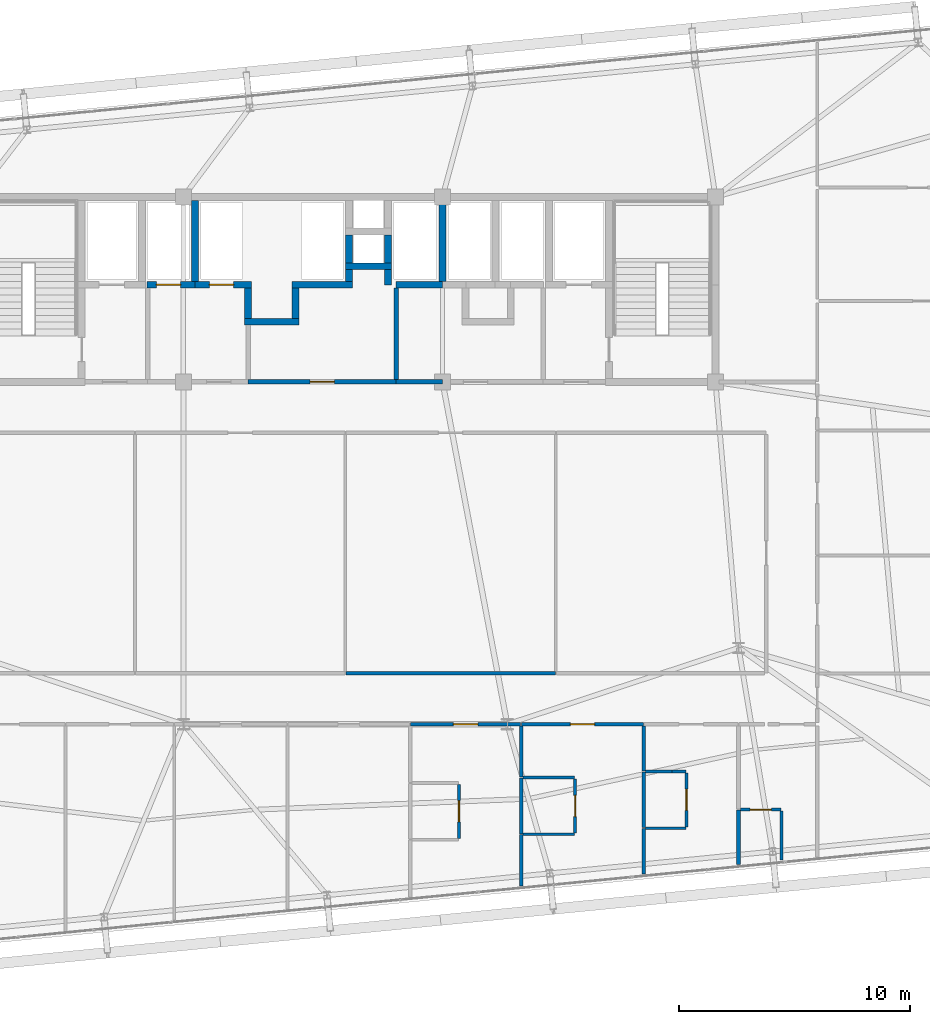
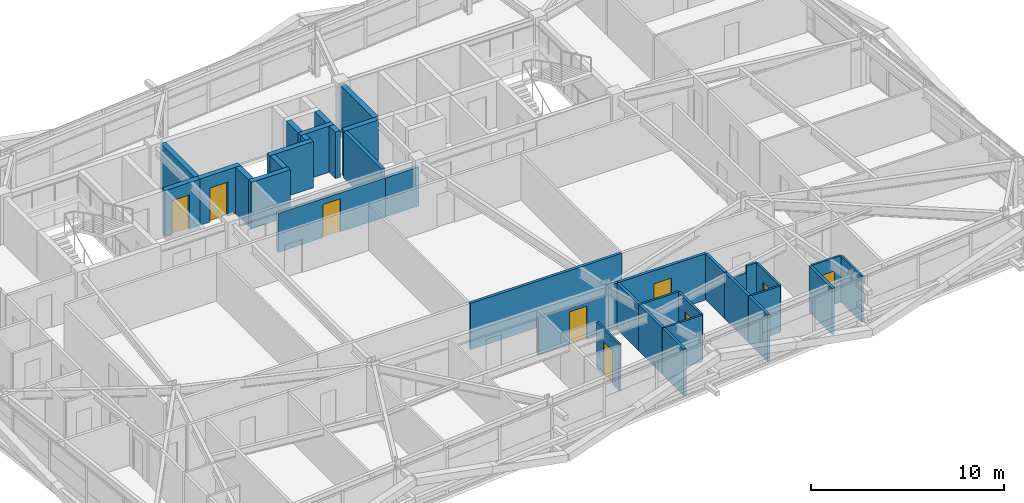
# One storey, part 48 of 53: 38 walls, 9 doors, 9 openings.
"""IFC4 building model written with IfcOpenShell, lengths in metres."""

from ifc_helpers import new_model, si_unit, direction, frame, frame_2d, origin, place, context, subcontext, project, spatial, rectangle, extrude, source, transform, mapped, material, layer, layer_set, type_object, element, fill, save


model = new_model("IFC4")

# Units and contexts
model_context = context("Model", 3, precision=1e-05, world=origin(), true_north=direction((0.0, 1.0)))
body_context = subcontext(model_context, "Body", "Model", "MODEL_VIEW")
ifc_project = project(units=[si_unit("LENGTHUNIT", "METRE"), si_unit("AREAUNIT", "SQUARE_METRE"), si_unit("VOLUMEUNIT", "CUBIC_METRE"), si_unit("PLANEANGLEUNIT", "RADIAN"), si_unit("MASSUNIT", "GRAM", prefix="KILO")], contexts=[model_context])

# Site, building, storey
site_placement = place(None, origin())
site = spatial("IfcSite", under=ifc_project, at=site_placement, CompositionType="ELEMENT")
building_placement = place(site_placement, origin())
building = spatial("IfcBuilding", under=site, at=building_placement, Name="Taldren Reach Tower", CompositionType="ELEMENT")
storey_placement = place(building_placement, frame((0.0, 0.0, 68.25)))
storey = spatial("IfcBuildingStorey", under=building, at=storey_placement, Name="L20", CompositionType="ELEMENT", Elevation=68.25)

# Wall, opening, door
ifc_material_1 = material(Name="Concrete S50 (50 MPa)", Category="concrete")
ifc_layer_1 = layer(ifc_material_1, 0.199951171875)
ifc_layer_set_1 = layer_set([ifc_layer_1], Name="Concrete S50 (50 MPa)")
wall_type_1 = type_object("IfcWallType", Name="IW-CORE-200", PredefinedType="SOLIDWALL", material=ifc_layer_set_1)
shared_shape_1 = source(origin(), body_context, "Body", "SweptSolid", [
    extrude(rectangle(XDim=6.39990234375, YDim=0.199951171875, at=frame_2d((3.199951171875, 0.0))), origin(), (0.0, 0.0, 1.0), 2.469970703125),
])
wall_1_placement = place(storey_placement, frame((37.199951171875, 24.0, 0.0), z_axis=(0.0, 0.0, 1.0), x_axis=(-1.0, 0.0, 0.0)))
wall_1 = element("IfcWall", 1, at=wall_1_placement, inside=storey, type_object=wall_type_1, Name="Rear Core Shear Wall W-INT-L20-043", PredefinedType="SOLIDWALL", context=body_context, shape_type="MappedRepresentation", body=[
    mapped(shared_shape_1, transform((0.0, 0.0, 0.0), scale=1.0)),
])
shared_shape_2 = source(origin(), body_context, "Body", "SweptSolid", [
    extrude(rectangle(XDim=1.050048828125, YDim=2.10009765625, at=frame_2d((0.52490234375, 1.050048828125))), frame((0.0, 0.10986328125, 0.0), z_axis=(0.0, -1.0, 0.0), x_axis=(1.0, 0.0, 0.0)), (0.0, 0.0, 1.0), 0.219970703125),
])
opening_1_placement = place(wall_1_placement, frame((2.675048828125, 0.0, 0.0)))
opening_1 = element("IfcOpeningElement", 2, at=opening_1_placement, cuts=wall_1, Name="Opening DF-105", PredefinedType="OPENING", context=body_context, shape_type="MappedRepresentation", body=[
    mapped(shared_shape_2, transform((0.0, 0.0, 0.0), scale=1.0)),
])
ifc_material_2 = material(Name="Fire-Rated Care and Stair Exit Door")
door_type_1 = type_object("IfcDoorType", Name="ID-FIRE-105", OperationType="NOTDEFINED", PredefinedType="DOOR", material=ifc_material_2)
shared_shape_3 = source(origin(), body_context, "Body", "SweptSolid", [
    extrude(rectangle(XDim=1.050048828125, YDim=2.10009765625, at=frame_2d((0.52490234375, 1.050048828125))), frame((0.0, 0.02490234375, 0.0), z_axis=(0.0, -1.0, 0.0), x_axis=(1.0, 0.0, 0.0)), (0.0, 0.0, 1.0), 0.050048828125),
])
door_1_placement = place(opening_1_placement, frame((1.050048828125, 0.0, 0.0), z_axis=(0.0, 0.0, 1.0), x_axis=(-1.0, 0.0, 0.0)))
door_1 = element("IfcDoor", 3, at=door_1_placement, inside=storey, type_object=door_type_1, Name="Interior Door DR-L20-006", OperationType="SINGLE_SWING_RIGHT", OverallHeight=2.10009765625, OverallWidth=1.050048828125, PredefinedType="DOOR", context=body_context, shape_type="MappedRepresentation", body=[
    mapped(shared_shape_3, transform((0.0, 0.0, 0.0), scale=1.0)),
])
fill(opening_1, door_1)

# Wall
shared_shape_4 = source(origin(), body_context, "Body", "SweptSolid", [
    extrude(rectangle(XDim=2.0, YDim=0.199951171875, at=frame_2d((1.0, 0.0))), origin(), (0.0, 0.0, 1.0), 2.469970703125),
])
wall_2_placement = place(storey_placement, frame((39.199951171875, 24.0, 0.0), z_axis=(0.0, 0.0, 1.0), x_axis=(-1.0, 0.0, 0.0)))
element("IfcWall", 4, at=wall_2_placement, inside=storey, type_object=wall_type_1, Name="Rear Core Shear Wall W-INT-L20-044 part 2", PredefinedType="SOLIDWALL", context=body_context, shape_type="MappedRepresentation", body=[
    mapped(shared_shape_4, transform((0.0, 0.0, 0.0), scale=1.0)),
])

# Wall, opening, door
ifc_material_3 = material(Name="Insulated Residential Stud Partition", Category="gypsum")
ifc_layer_2 = layer(ifc_material_3, 0.1201171875)
ifc_layer_set_2 = layer_set([ifc_layer_2], Name="Insulated Residential Stud Partition")
wall_type_2 = type_object("IfcWallType", Name="IW-PART-120", PredefinedType="PARTITIONING", material=ifc_layer_set_2)
shared_shape_5 = source(origin(), body_context, "Body", "SweptSolid", [
    extrude(rectangle(XDim=2.330078125, YDim=0.1201171875, at=frame_2d((1.1650390625, 0.0))), origin(), (0.0, 0.0, 1.0), 2.929931640625),
])
wall_3_placement = place(storey_placement, frame((39.912109375, 4.26904296875, 0.0), z_axis=(0.0, 0.0, 1.0), x_axis=(0.0, 1.0, 0.0)))
wall_3 = element("IfcWall", 5, at=wall_3_placement, inside=storey, type_object=wall_type_2, Name="Interior Partition Wall W-INT-L20-094", PredefinedType="PARTITIONING", context=body_context, shape_type="MappedRepresentation", body=[
    mapped(shared_shape_5, transform((0.0, 0.0, 0.0), scale=1.0)),
])
shared_shape_6 = source(origin(), body_context, "Body", "SweptSolid", [
    extrude(rectangle(XDim=0.919921875, YDim=2.10009765625, at=frame_2d((0.4599609375, 1.050048828125))), frame((0.0, 0.070068359375, 0.0), z_axis=(0.0, -1.0, 0.0), x_axis=(1.0, 0.0, 0.0)), (0.0, 0.0, 1.0), 0.14013671875),
])
opening_2_placement = place(wall_3_placement, frame((0.705078125, 0.0, 0.0)))
opening_2 = element("IfcOpeningElement", 6, at=opening_2_placement, cuts=wall_3, Name="Opening DI-092", PredefinedType="OPENING", context=body_context, shape_type="MappedRepresentation", body=[
    mapped(shared_shape_6, transform((0.0, 0.0, 0.0), scale=1.0)),
])
ifc_material_4 = material(Name="Solid-Core Timber Suite Door", Category="wood")
door_type_2 = type_object("IfcDoorType", Name="ID-INT-092", OperationType="NOTDEFINED", PredefinedType="DOOR", material=ifc_material_4)
shared_shape_7 = source(origin(), body_context, "Body", "SweptSolid", [
    extrude(rectangle(XDim=0.919921875, YDim=2.10009765625, at=frame_2d((0.4599609375, 1.050048828125))), frame((0.0, 0.02490234375, 0.0), z_axis=(0.0, -1.0, 0.0), x_axis=(1.0, 0.0, 0.0)), (0.0, 0.0, 1.0), 0.050048828125),
])
door_2_placement = place(opening_2_placement, origin())
door_2 = element("IfcDoor", 7, at=door_2_placement, inside=storey, type_object=door_type_2, Name="Interior Door DR-L20-031", OperationType="SINGLE_SWING_RIGHT", OverallHeight=2.10009765625, OverallWidth=0.919921875, PredefinedType="DOOR", context=body_context, shape_type="MappedRepresentation", body=[
    mapped(shared_shape_7, transform((0.0, 0.0, 0.0), scale=1.0)),
])
fill(opening_2, door_2)

wall_4_placement = place(storey_placement, frame((49.75, 4.768310546875, 0.0), z_axis=(0.0, 0.0, 1.0), x_axis=(0.0, 1.0, 0.0)))
wall_4 = element("IfcWall", 8, at=wall_4_placement, inside=storey, type_object=wall_type_2, Name="Interior Partition Wall W-INT-L20-106", PredefinedType="PARTITIONING", context=body_context, shape_type="MappedRepresentation", body=[
    mapped(shared_shape_5, transform((0.0, 0.0, 0.0), scale=1.0)),
])
opening_3_placement = place(wall_4_placement, frame((0.705078125, 0.0, 0.0)))
opening_3 = element("IfcOpeningElement", 9, at=opening_3_placement, cuts=wall_4, Name="Opening DI-092", PredefinedType="OPENING", context=body_context, shape_type="MappedRepresentation", body=[
    mapped(shared_shape_6, transform((0.0, 0.0, 0.0), scale=1.0)),
])
door_3_placement = place(opening_3_placement, origin())
door_3 = element("IfcDoor", 10, at=door_3_placement, inside=storey, type_object=door_type_2, Name="Interior Door DR-L20-033", OperationType="SINGLE_SWING_RIGHT", OverallHeight=2.10009765625, OverallWidth=0.919921875, PredefinedType="DOOR", context=body_context, shape_type="MappedRepresentation", body=[
    mapped(shared_shape_7, transform((0.0, 0.0, 0.0), scale=1.0)),
])
fill(opening_3, door_3)

# Wall
shared_shape_8 = source(origin(), body_context, "Body", "SweptSolid", [
    extrude(rectangle(XDim=1.749755859375, YDim=0.1201171875, at=frame_2d((0.875, 0.0))), origin(), (0.0, 0.0, 1.0), 2.929931640625),
])
wall_5_placement = place(storey_placement, frame((47.97998046875, 4.708251953125, 0.0), z_axis=(0.0, 0.0, 1.0), x_axis=(1.0, 0.0, 0.0)))
element("IfcWall", 11, at=wall_5_placement, inside=storey, type_object=wall_type_2, Name="Interior Partition Wall W-INT-L20-107", PredefinedType="PARTITIONING", context=body_context, shape_type="MappedRepresentation", body=[
    mapped(shared_shape_8, transform((0.0, 0.0, 0.0), scale=1.0)),
])

# Wall, opening, door
wall_6_placement = place(storey_placement, frame((53.829833984375, 5.51025390625, 0.0), z_axis=(0.0, 0.0, 1.0), x_axis=(-1.0, 0.0, 0.0)))
wall_6 = element("IfcWall", 12, at=wall_6_placement, inside=storey, type_object=wall_type_2, Name="Interior Partition Wall W-INT-L20-112", PredefinedType="PARTITIONING", context=body_context, shape_type="MappedRepresentation", body=[
    mapped(shared_shape_8, transform((0.0, 0.0, 0.0), scale=1.0)),
])
opening_4_placement = place(wall_6_placement, frame((0.414794921875, 0.0, 0.0)))
opening_4 = element("IfcOpeningElement", 13, at=opening_4_placement, cuts=wall_6, Name="Opening DI-092", PredefinedType="OPENING", context=body_context, shape_type="MappedRepresentation", body=[
    mapped(shared_shape_6, transform((0.0, 0.0, 0.0), scale=1.0)),
])
door_4_placement = place(opening_4_placement, origin())
door_4 = element("IfcDoor", 14, at=door_4_placement, inside=storey, type_object=door_type_2, Name="Interior Door DR-L20-034", OperationType="SINGLE_SWING_LEFT", OverallHeight=2.10009765625, OverallWidth=0.919921875, PredefinedType="DOOR", context=body_context, shape_type="MappedRepresentation", body=[
    mapped(shared_shape_7, transform((0.0, 0.0, 0.0), scale=1.0)),
])
fill(opening_4, door_4)

# Walls
ifc_material_5 = material(Name="Fire-Rated Acoustic Plasterboard Stud Wall", Category="gypsum")
ifc_layer_3 = layer(ifc_material_5, 0.159912109375)
ifc_layer_set_3 = layer_set([ifc_layer_3], Name="Fire-Rated Acoustic Plasterboard Stud Wall")
wall_type_3 = type_object("IfcWallType", Name="IW-FIRE-160", PredefinedType="PARTITIONING", material=ifc_layer_set_3)
shared_shape_9 = source(origin(), body_context, "Body", "SweptSolid", [
    extrude(rectangle(XDim=2.40966796875, YDim=0.159912109375, at=frame_2d((1.204833984375, 0.0))), origin(), (0.0, 0.0, 1.0), 2.929931640625),
])
wall_7_placement = place(storey_placement, frame((47.89990234375, 7.13818359375, 0.0), z_axis=(0.0, 0.0, 1.0), x_axis=(0.0, -1.0, 0.0)))
element("IfcWall", 15, at=wall_7_placement, inside=storey, type_object=wall_type_3, Name="Interior Partition Wall W-INT-L20-105", PredefinedType="PARTITIONING", context=body_context, shape_type="MappedRepresentation", body=[
    mapped(shared_shape_9, transform((0.0, 0.0, 0.0), scale=1.0)),
])
ifc_material_6 = material(Name="Concrete S65 (65 MPa)", Category="concrete")
ifc_layer_4 = layer(ifc_material_6, 0.300048828125)
ifc_layer_set_4 = layer_set([ifc_layer_4], Name="Concrete S65 (65 MPa)")
wall_type_4 = type_object("IfcWallType", Name="IW-CORE-300", PredefinedType="SHEAR", material=ifc_layer_set_4)
shared_shape_10 = source(origin(), body_context, "Body", "SweptSolid", [
    extrude(rectangle(XDim=3.5, YDim=0.300048828125, at=frame_2d((1.75, 0.0))), origin(), (0.0, 0.0, 1.0), 2.929931640625),
])
for number, where, z_axis, x_axis, name in (
    (16, (28.5, 28.35009765625, 0.0), (0.0, 0.0, 1.0), (0.0, 1.0, 0.0), "Rear Core Shear Wall W-INT-L20-029"),
    (17, (39.199951171875, 28.35009765625, 0.0), (0.0, 0.0, 1.0), (0.0, 1.0, 0.0), "Rear Core Shear Wall W-INT-L20-036"),
):
    element("IfcWall", number, at=place(storey_placement, frame(where, z_axis=z_axis, x_axis=x_axis)), inside=storey, type_object=wall_type_4, Name=name, PredefinedType="SHEAR", context=body_context, shape_type="MappedRepresentation", body=[
        mapped(shared_shape_10, transform((0.0, 0.0, 0.0), scale=1.0)),
    ])
shared_shape_11 = source(origin(), body_context, "Body", "SweptSolid", [
    extrude(rectangle(XDim=3.949951171875, YDim=0.199951171875, at=frame_2d((1.97509765625, 0.0))), origin(), (0.0, 0.0, 1.0), 2.929931640625),
])
wall_8_placement = place(storey_placement, frame((37.199951171875, 28.050048828125, 0.0), z_axis=(0.0, 0.0, 1.0), x_axis=(0.0, -1.0, 0.0)))
element("IfcWall", 18, at=wall_8_placement, inside=storey, type_object=wall_type_1, Name="Rear Core Shear Wall W-INT-L20-042", PredefinedType="SOLIDWALL", context=body_context, shape_type="MappedRepresentation", body=[
    mapped(shared_shape_11, transform((0.0, 0.0, 0.0), scale=1.0)),
])
shared_shape_12 = source(origin(), body_context, "Body", "SweptSolid", [
    extrude(rectangle(XDim=2.0, YDim=0.300048828125, at=frame_2d((1.0, 0.0))), origin(), (0.0, 0.0, 1.0), 2.929931640625),
])
wall_9_placement = place(storey_placement, frame((35.0, 29.0, 0.0), z_axis=(0.0, 0.0, 1.0), x_axis=(1.0, 0.0, 0.0)))
element("IfcWall", 19, at=wall_9_placement, inside=storey, type_object=wall_type_4, Name="Rear Core Shear Wall W-INT-L20-020", PredefinedType="SHEAR", context=body_context, shape_type="MappedRepresentation", body=[
    mapped(shared_shape_12, transform((0.0, 0.0, 0.0), scale=1.0)),
])
shared_shape_13 = source(origin(), body_context, "Body", "SweptSolid", [
    extrude(rectangle(XDim=1.2001953125, YDim=0.300048828125, at=frame_2d((0.60009765625, 0.0))), origin(), (0.0, 0.0, 1.0), 2.929931640625),
])
for number, where, z_axis, x_axis, name in (
    (20, (35.14990234375, 30.35009765625, 0.0), (0.0, 0.0, 1.0), (0.0, -1.0, 0.0), "Rear Core Shear Wall W-INT-L20-018"),
    (21, (36.85009765625, 29.14990234375, 0.0), (0.0, 0.0, 1.0), (0.0, 1.0, 0.0), "Rear Core Shear Wall W-INT-L20-019"),
):
    element("IfcWall", number, at=place(storey_placement, frame(where, z_axis=z_axis, x_axis=x_axis)), inside=storey, type_object=wall_type_4, Name=name, PredefinedType="SHEAR", context=body_context, shape_type="MappedRepresentation", body=[
        mapped(shared_shape_13, transform((0.0, 0.0, 0.0), scale=1.0)),
    ])
shared_shape_14 = source(origin(), body_context, "Body", "SweptSolid", [
    extrude(rectangle(XDim=1.300048828125, YDim=0.300048828125, at=frame_2d((0.64990234375, 0.0))), origin(), (0.0, 0.0, 1.0), 2.929931640625),
])
for number, where, z_axis, x_axis, name in (
    (22, (30.800048828125, 28.050048828125, 0.0), (0.0, 0.0, 1.0), (0.0, -1.0, 0.0), "Rear Core Shear Wall W-INT-L20-021"),
    (23, (32.85009765625, 26.75, 0.0), (0.0, 0.0, 1.0), (0.0, 1.0, 0.0), "Rear Core Shear Wall W-INT-L20-023"),
):
    element("IfcWall", number, at=place(storey_placement, frame(where, z_axis=z_axis, x_axis=x_axis)), inside=storey, type_object=wall_type_4, Name=name, PredefinedType="SHEAR", context=body_context, shape_type="MappedRepresentation", body=[
        mapped(shared_shape_14, transform((0.0, 0.0, 0.0), scale=1.0)),
    ])

# Wall, opening, door
shared_shape_15 = source(origin(), body_context, "Body", "SweptSolid", [
    extrude(rectangle(XDim=2.070068359375, YDim=0.300048828125, at=frame_2d((1.03515625, 0.0))), origin(), (0.0, 0.0, 1.0), 2.929931640625),
])
wall_10_placement = place(storey_placement, frame((26.429931640625, 28.199951171875, 0.0), z_axis=(0.0, 0.0, 1.0), x_axis=(1.0, 0.0, 0.0)))
wall_10 = element("IfcWall", 24, at=wall_10_placement, inside=storey, type_object=wall_type_4, Name="Rear Core Shear Wall W-INT-L20-030", PredefinedType="SHEAR", context=body_context, shape_type="MappedRepresentation", body=[
    mapped(shared_shape_15, transform((0.0, 0.0, 0.0), scale=1.0)),
])
shared_shape_16 = source(origin(), body_context, "Body", "SweptSolid", [
    extrude(rectangle(XDim=1.050048828125, YDim=2.14990234375, at=frame_2d((0.52490234375, 1.074951171875))), frame((0.0, 0.16015625, 0.0), z_axis=(0.0, -1.0, 0.0), x_axis=(1.0, 0.0, 0.0)), (0.0, 0.0, 1.0), 0.320068359375),
])
opening_5_placement = place(wall_10_placement, frame((0.39501953125, 0.0, 0.0)))
opening_5 = element("IfcOpeningElement", 25, at=opening_5_placement, cuts=wall_10, Name="Opening LD-PL1", PredefinedType="OPENING", context=body_context, shape_type="MappedRepresentation", body=[
    mapped(shared_shape_16, transform((0.0, 0.0, 0.0), scale=1.0)),
])
ifc_material_7 = material(Name="Stainless Steel Gr 316 Passenger Lift Landing Door", Category="steel")
door_type_3 = type_object("IfcDoorType", Name="LD-PAS-105", OperationType="SLIDING_TO_LEFT", PredefinedType="DOOR", material=ifc_material_7)
shared_shape_17 = source(origin(), body_context, "Body", "SweptSolid", [
    extrude(rectangle(XDim=1.050048828125, YDim=2.14990234375, at=frame_2d((0.52490234375, 1.074951171875))), frame((0.0, 0.02490234375, 0.0), z_axis=(0.0, -1.0, 0.0), x_axis=(1.0, 0.0, 0.0)), (0.0, 0.0, 1.0), 0.050048828125),
])
door_5_placement = place(opening_5_placement, origin())
door_5 = element("IfcDoor", 26, at=door_5_placement, inside=storey, type_object=door_type_3, Name="Lift Landing Door LD-PL1-L20", OperationType="SLIDING_TO_LEFT", OverallHeight=2.14990234375, OverallWidth=1.050048828125, PredefinedType="DOOR", context=body_context, shape_type="MappedRepresentation", body=[
    mapped(shared_shape_17, transform((0.0, 0.0, 0.0), scale=1.0)),
])
fill(opening_5, door_5)

shared_shape_18 = source(origin(), body_context, "Body", "SweptSolid", [
    extrude(rectangle(XDim=2.449951171875, YDim=0.300048828125, at=frame_2d((1.22509765625, 0.0))), origin(), (0.0, 0.0, 1.0), 2.929931640625),
])
wall_11_placement = place(storey_placement, frame((28.5, 28.199951171875, 0.0), z_axis=(0.0, 0.0, 1.0), x_axis=(1.0, 0.0, 0.0)))
wall_11 = element("IfcWall", 27, at=wall_11_placement, inside=storey, type_object=wall_type_4, Name="Rear Core Shear Wall W-INT-L20-031", PredefinedType="SHEAR", context=body_context, shape_type="MappedRepresentation", body=[
    mapped(shared_shape_18, transform((0.0, 0.0, 0.0), scale=1.0)),
])
opening_6_placement = place(wall_11_placement, frame((0.625, 0.0, 0.0)))
opening_6 = element("IfcOpeningElement", 28, at=opening_6_placement, cuts=wall_11, Name="Opening LD-PL2", PredefinedType="OPENING", context=body_context, shape_type="MappedRepresentation", body=[
    mapped(shared_shape_16, transform((0.0, 0.0, 0.0), scale=1.0)),
])
door_6_placement = place(opening_6_placement, origin())
door_6 = element("IfcDoor", 29, at=door_6_placement, inside=storey, type_object=door_type_3, Name="Lift Landing Door LD-PL2-L20", OperationType="SLIDING_TO_LEFT", OverallHeight=2.14990234375, OverallWidth=1.050048828125, PredefinedType="DOOR", context=body_context, shape_type="MappedRepresentation", body=[
    mapped(shared_shape_17, transform((0.0, 0.0, 0.0), scale=1.0)),
])
fill(opening_6, door_6)

# Walls
shared_shape_19 = source(origin(), body_context, "Body", "SweptSolid", [
    extrude(rectangle(XDim=0.5, YDim=0.300048828125, at=frame_2d((0.25, 0.0))), origin(), (0.0, 0.0, 1.0), 2.929931640625),
])
wall_12_placement = place(storey_placement, frame((35.14990234375, 28.35009765625, 0.0), z_axis=(0.0, 0.0, 1.0), x_axis=(0.0, 1.0, 0.0)))
element("IfcWall", 30, at=wall_12_placement, inside=storey, type_object=wall_type_4, Name="Rear Core Shear Wall W-INT-L20-035", PredefinedType="SHEAR", context=body_context, shape_type="MappedRepresentation", body=[
    mapped(shared_shape_19, transform((0.0, 0.0, 0.0), scale=1.0)),
])
shared_shape_20 = source(origin(), body_context, "Body", "SweptSolid", [
    extrude(rectangle(XDim=2.409423828125, YDim=0.159912109375, at=frame_2d((1.20458984375, 0.0))), origin(), (0.0, 0.0, 1.0), 2.929931640625),
])
wall_13_placement = place(storey_placement, frame((42.60009765625, 6.8740234375, 0.0), z_axis=(0.0, 0.0, 1.0), x_axis=(0.0, -1.0, 0.0)))
element("IfcWall", 31, at=wall_13_placement, inside=storey, type_object=wall_type_3, Name="Interior Partition Wall W-INT-L20-099", PredefinedType="PARTITIONING", context=body_context, shape_type="MappedRepresentation", body=[
    mapped(shared_shape_20, transform((0.0, 0.0, 0.0), scale=1.0)),
])
shared_shape_21 = source(origin(), body_context, "Body", "SweptSolid", [
    extrude(rectangle(XDim=2.35009765625, YDim=0.300048828125, at=frame_2d((1.175048828125, 0.0))), origin(), (0.0, 0.0, 1.0), 2.929931640625),
])
wall_14_placement = place(storey_placement, frame((30.64990234375, 26.60009765625, 0.0), z_axis=(0.0, 0.0, 1.0), x_axis=(1.0, 0.0, 0.0)))
element("IfcWall", 32, at=wall_14_placement, inside=storey, type_object=wall_type_4, Name="Rear Core Shear Wall W-INT-L20-022", PredefinedType="SHEAR", context=body_context, shape_type="MappedRepresentation", body=[
    mapped(shared_shape_21, transform((0.0, 0.0, 0.0), scale=1.0)),
])
shared_shape_22 = source(origin(), body_context, "Body", "SweptSolid", [
    extrude(rectangle(XDim=2.60009765625, YDim=0.300048828125, at=frame_2d((1.300048828125, 0.0))), origin(), (0.0, 0.0, 1.0), 2.929931640625),
])
wall_15_placement = place(storey_placement, frame((32.699951171875, 28.199951171875, 0.0), z_axis=(0.0, 0.0, 1.0), x_axis=(1.0, 0.0, 0.0)))
element("IfcWall", 33, at=wall_15_placement, inside=storey, type_object=wall_type_4, Name="Rear Core Shear Wall W-INT-L20-034", PredefinedType="SHEAR", context=body_context, shape_type="MappedRepresentation", body=[
    mapped(shared_shape_22, transform((0.0, 0.0, 0.0), scale=1.0)),
])
shared_shape_23 = source(origin(), body_context, "Body", "SweptSolid", [
    extrude(rectangle(XDim=0.650146484375, YDim=0.300048828125, at=frame_2d((0.3251953125, 0.0))), origin(), (0.0, 0.0, 1.0), 2.929931640625),
])
wall_16_placement = place(storey_placement, frame((36.85009765625, 28.85009765625, 0.0), z_axis=(0.0, 0.0, 1.0), x_axis=(0.0, -1.0, 0.0)))
element("IfcWall", 34, at=wall_16_placement, inside=storey, type_object=wall_type_4, Name="Rear Core Shear Wall W-INT-L20-037", PredefinedType="SHEAR", context=body_context, shape_type="MappedRepresentation", body=[
    mapped(shared_shape_23, transform((0.0, 0.0, 0.0), scale=1.0)),
])
shared_shape_24 = source(origin(), body_context, "Body", "SweptSolid", [
    extrude(rectangle(XDim=2.02001953125, YDim=0.300048828125, at=frame_2d((1.010009765625, 0.0))), origin(), (0.0, 0.0, 1.0), 2.929931640625),
])
wall_17_placement = place(storey_placement, frame((37.179931640625, 28.199951171875, 0.0), z_axis=(0.0, 0.0, 1.0), x_axis=(1.0, 0.0, 0.0)))
element("IfcWall", 35, at=wall_17_placement, inside=storey, type_object=wall_type_4, Name="Rear Core Shear Wall W-INT-L20-038", PredefinedType="SHEAR", context=body_context, shape_type="MappedRepresentation", body=[
    mapped(shared_shape_24, transform((0.0, 0.0, 0.0), scale=1.0)),
])
shared_shape_25 = source(origin(), body_context, "Body", "SweptSolid", [
    extrude(rectangle(XDim=9.0595703125, YDim=0.159912109375, at=frame_2d((4.52978515625, 0.0))), origin(), (0.0, 0.0, 1.0), 2.929931640625),
])
wall_18_placement = place(storey_placement, frame((35.020263671875, 11.39990234375, 0.0), z_axis=(0.0, 0.0, 1.0), x_axis=(1.0, 0.0, 0.0)))
element("IfcWall", 36, at=wall_18_placement, inside=storey, type_object=wall_type_3, Name="Interior Partition Wall W-INT-L20-067", PredefinedType="PARTITIONING", context=body_context, shape_type="MappedRepresentation", body=[
    mapped(shared_shape_25, transform((0.0, 0.0, 0.0), scale=1.0)),
])
shared_shape_26 = source(origin(), body_context, "Body", "SweptSolid", [
    extrude(rectangle(XDim=0.57958984375, YDim=0.159912109375, at=frame_2d((0.289794921875, 0.0))), origin(), (0.0, 0.0, 1.0), 2.929931640625),
])
wall_19_placement = place(storey_placement, frame((42.57958984375, 9.199951171875, 0.0), z_axis=(0.0, 0.0, 1.0), x_axis=(-1.0, 0.0, 0.0)))
element("IfcWall", 37, at=wall_19_placement, inside=storey, type_object=wall_type_3, Name="Interior Partition Wall W-INT-L20-074", PredefinedType="PARTITIONING", context=body_context, shape_type="MappedRepresentation", body=[
    mapped(shared_shape_26, transform((0.0, 0.0, 0.0), scale=1.0)),
])

# Wall, opening, door
shared_shape_27 = source(origin(), body_context, "Body", "SweptSolid", [
    extrude(rectangle(XDim=4.1796875, YDim=0.159912109375, at=frame_2d((2.08984375, 0.0))), origin(), (0.0, 0.0, 1.0), 2.327880859375),
])
wall_20_placement = place(storey_placement, frame((42.0, 9.199951171875, 0.0), z_axis=(0.0, 0.0, 1.0), x_axis=(-1.0, 0.0, 0.0)))
wall_20 = element("IfcWall", 38, at=wall_20_placement, inside=storey, type_object=wall_type_3, Name="Interior Partition Wall W-INT-L20-074 part 2", PredefinedType="PARTITIONING", context=body_context, shape_type="MappedRepresentation", body=[
    mapped(shared_shape_27, transform((0.0, 0.0, 0.0), scale=1.0)),
])
shared_shape_28 = source(origin(), body_context, "Body", "SweptSolid", [
    extrude(rectangle(XDim=1.050048828125, YDim=2.10009765625, at=frame_2d((0.52490234375, 1.050048828125))), frame((0.0, 0.08984375, 0.0), z_axis=(0.0, -1.0, 0.0), x_axis=(1.0, 0.0, 0.0)), (0.0, 0.0, 1.0), 0.179931640625),
])
opening_7_placement = place(wall_20_placement, frame((1.27490234375, 0.0, 0.0)))
opening_7 = element("IfcOpeningElement", 39, at=opening_7_placement, cuts=wall_20, Name="Opening DF-105", PredefinedType="OPENING", context=body_context, shape_type="MappedRepresentation", body=[
    mapped(shared_shape_28, transform((0.0, 0.0, 0.0), scale=1.0)),
])
door_7_placement = place(opening_7_placement, origin())
door_7 = element("IfcDoor", 40, at=door_7_placement, inside=storey, type_object=door_type_1, Name="Interior Door DR-L20-027", OperationType="SINGLE_SWING_RIGHT", OverallHeight=2.10009765625, OverallWidth=1.050048828125, PredefinedType="DOOR", context=body_context, shape_type="MappedRepresentation", body=[
    mapped(shared_shape_3, transform((0.0, 0.0, 0.0), scale=1.0)),
])
fill(opening_7, door_7)

shared_shape_29 = source(origin(), body_context, "Body", "SweptSolid", [
    extrude(rectangle(XDim=5.25927734375, YDim=0.159912109375, at=frame_2d((2.629638671875, 0.0))), origin(), (0.0, 0.0, 1.0), 2.929931640625),
])
wall_21_placement = place(storey_placement, frame((47.879638671875, 9.199951171875, 0.0), z_axis=(0.0, 0.0, 1.0), x_axis=(-1.0, 0.0, 0.0)))
wall_21 = element("IfcWall", 41, at=wall_21_placement, inside=storey, type_object=wall_type_3, Name="Interior Partition Wall W-INT-L20-075", PredefinedType="PARTITIONING", context=body_context, shape_type="MappedRepresentation", body=[
    mapped(shared_shape_29, transform((0.0, 0.0, 0.0), scale=1.0)),
])
opening_8_placement = place(wall_21_placement, frame((2.104736328125, 0.0, 0.0)))
opening_8 = element("IfcOpeningElement", 42, at=opening_8_placement, cuts=wall_21, Name="Opening DF-105", PredefinedType="OPENING", context=body_context, shape_type="MappedRepresentation", body=[
    mapped(shared_shape_28, transform((0.0, 0.0, 0.0), scale=1.0)),
])
door_8_placement = place(opening_8_placement, origin())
door_8 = element("IfcDoor", 43, at=door_8_placement, inside=storey, type_object=door_type_1, Name="Interior Door DR-L20-028", OperationType="SINGLE_SWING_LEFT", OverallHeight=2.10009765625, OverallWidth=1.050048828125, PredefinedType="DOOR", context=body_context, shape_type="MappedRepresentation", body=[
    mapped(shared_shape_3, transform((0.0, 0.0, 0.0), scale=1.0)),
])
fill(opening_8, door_8)

# Walls
shared_shape_30 = source(origin(), body_context, "Body", "SweptSolid", [
    extrude(rectangle(XDim=2.21923828125, YDim=0.159912109375, at=frame_2d((1.109619140625, 0.0))), origin(), (0.0, 0.0, 1.0), 2.929931640625),
])
wall_22_placement = place(storey_placement, frame((42.60009765625, 4.424072265625, 0.0), z_axis=(0.0, 0.0, 1.0), x_axis=(0.0, -1.0, 0.0)))
element("IfcWall", 44, at=wall_22_placement, inside=storey, type_object=wall_type_3, Name="Interior Partition Wall W-INT-L20-097", PredefinedType="PARTITIONING", context=body_context, shape_type="MappedRepresentation", body=[
    mapped(shared_shape_30, transform((0.0, 0.0, 0.0), scale=1.0)),
])
shared_shape_31 = source(origin(), body_context, "Body", "SweptSolid", [
    extrude(rectangle(XDim=2.203369140625, YDim=0.159912109375, at=frame_2d((1.1015625, 0.0))), origin(), (0.0, 0.0, 1.0), 2.929931640625),
])
wall_23_placement = place(storey_placement, frame((42.60009765625, 9.117919921875, 0.0), z_axis=(0.0, 0.0, 1.0), x_axis=(0.0, -1.0, 0.0)))
element("IfcWall", 45, at=wall_23_placement, inside=storey, type_object=wall_type_3, Name="Interior Partition Wall W-INT-L20-098", PredefinedType="PARTITIONING", context=body_context, shape_type="MappedRepresentation", body=[
    mapped(shared_shape_31, transform((0.0, 0.0, 0.0), scale=1.0)),
])

# Wall, opening, door
shared_shape_32 = source(origin(), body_context, "Body", "SweptSolid", [
    extrude(rectangle(XDim=2.329833984375, YDim=0.1201171875, at=frame_2d((1.1650390625, 0.0))), origin(), (0.0, 0.0, 1.0), 2.929931640625),
])
wall_24_placement = place(storey_placement, frame((44.931884765625, 4.50439453125, 0.0), z_axis=(0.0, 0.0, 1.0), x_axis=(0.0, 1.0, 0.0)))
wall_24 = element("IfcWall", 46, at=wall_24_placement, inside=storey, type_object=wall_type_2, Name="Interior Partition Wall W-INT-L20-100", PredefinedType="PARTITIONING", context=body_context, shape_type="MappedRepresentation", body=[
    mapped(shared_shape_32, transform((0.0, 0.0, 0.0), scale=1.0)),
])
opening_9_placement = place(wall_24_placement, frame((0.705078125, 0.0, 0.0)))
opening_9 = element("IfcOpeningElement", 47, at=opening_9_placement, cuts=wall_24, Name="Opening DI-092", PredefinedType="OPENING", context=body_context, shape_type="MappedRepresentation", body=[
    mapped(shared_shape_6, transform((0.0, 0.0, 0.0), scale=1.0)),
])
door_9_placement = place(opening_9_placement, origin())
door_9 = element("IfcDoor", 48, at=door_9_placement, inside=storey, type_object=door_type_2, Name="Interior Door DR-L20-032", OperationType="SINGLE_SWING_LEFT", OverallHeight=2.10009765625, OverallWidth=0.919921875, PredefinedType="DOOR", context=body_context, shape_type="MappedRepresentation", body=[
    mapped(shared_shape_7, transform((0.0, 0.0, 0.0), scale=1.0)),
])
fill(opening_9, door_9)

# Walls
shared_shape_33 = source(origin(), body_context, "Body", "SweptSolid", [
    extrude(rectangle(XDim=2.23193359375, YDim=0.1201171875, at=frame_2d((1.115966796875, 0.0))), origin(), (0.0, 0.0, 1.0), 2.929931640625),
])
for number, where, z_axis, x_axis, name in (
    (49, (42.679931640625, 4.4443359375, 0.0), (0.0, 0.0, 1.0), (1.0, 0.0, 0.0), "Interior Partition Wall W-INT-L20-101"),
    (50, (44.911865234375, 6.894287109375, 0.0), (0.0, 0.0, 1.0), (-1.0, 0.0, 0.0), "Interior Partition Wall W-INT-L20-102"),
):
    element("IfcWall", number, at=place(storey_placement, frame(where, z_axis=z_axis, x_axis=x_axis)), inside=storey, type_object=wall_type_2, Name=name, PredefinedType="PARTITIONING", context=body_context, shape_type="MappedRepresentation", body=[
        mapped(shared_shape_33, transform((0.0, 0.0, 0.0), scale=1.0)),
    ])
shared_shape_34 = source(origin(), body_context, "Body", "SweptSolid", [
    extrude(rectangle(XDim=1.96337890625, YDim=0.159912109375, at=frame_2d((0.981689453125, 0.0))), origin(), (0.0, 0.0, 1.0), 2.929931640625),
])
wall_25_placement = place(storey_placement, frame((47.89990234375, 4.68798828125, 0.0), z_axis=(0.0, 0.0, 1.0), x_axis=(0.0, -1.0, 0.0)))
element("IfcWall", 51, at=wall_25_placement, inside=storey, type_object=wall_type_3, Name="Interior Partition Wall W-INT-L20-103", PredefinedType="PARTITIONING", context=body_context, shape_type="MappedRepresentation", body=[
    mapped(shared_shape_34, transform((0.0, 0.0, 0.0), scale=1.0)),
])
shared_shape_35 = source(origin(), body_context, "Body", "SweptSolid", [
    extrude(rectangle(XDim=1.939453125, YDim=0.159912109375, at=frame_2d((0.9697265625, 0.0))), origin(), (0.0, 0.0, 1.0), 2.929931640625),
])
wall_26_placement = place(storey_placement, frame((47.89990234375, 9.117919921875, 0.0), z_axis=(0.0, 0.0, 1.0), x_axis=(0.0, -1.0, 0.0)))
element("IfcWall", 52, at=wall_26_placement, inside=storey, type_object=wall_type_3, Name="Interior Partition Wall W-INT-L20-104", PredefinedType="PARTITIONING", context=body_context, shape_type="MappedRepresentation", body=[
    mapped(shared_shape_35, transform((0.0, 0.0, 0.0), scale=1.0)),
])
shared_shape_36 = source(origin(), body_context, "Body", "SweptSolid", [
    extrude(rectangle(XDim=0.6181640625, YDim=0.1201171875, at=frame_2d((0.30908203125, 0.0))), origin(), (0.0, 0.0, 1.0), 2.929931640625),
])
wall_27_placement = place(storey_placement, frame((49.729736328125, 7.158203125, 0.0), z_axis=(0.0, 0.0, 1.0), x_axis=(-1.0, 0.0, 0.0)))
element("IfcWall", 53, at=wall_27_placement, inside=storey, type_object=wall_type_2, Name="Interior Partition Wall W-INT-L20-108", PredefinedType="PARTITIONING", context=body_context, shape_type="MappedRepresentation", body=[
    mapped(shared_shape_36, transform((0.0, 0.0, 0.0), scale=1.0)),
])
shared_shape_37 = source(origin(), body_context, "Body", "SweptSolid", [
    extrude(rectangle(XDim=1.131591796875, YDim=0.1201171875, at=frame_2d((0.56591796875, 0.0))), origin(), (0.0, 0.0, 1.0), 2.469970703125),
])
wall_28_placement = place(storey_placement, frame((49.111572265625, 7.158203125, 0.0), z_axis=(0.0, 0.0, 1.0), x_axis=(-1.0, 0.0, 0.0)))
element("IfcWall", 54, at=wall_28_placement, inside=storey, type_object=wall_type_2, Name="Interior Partition Wall W-INT-L20-108 part 2", PredefinedType="PARTITIONING", context=body_context, shape_type="MappedRepresentation", body=[
    mapped(shared_shape_37, transform((0.0, 0.0, 0.0), scale=1.0)),
])
shared_shape_38 = source(origin(), body_context, "Body", "SweptSolid", [
    extrude(rectangle(XDim=2.363525390625, YDim=0.159912109375, at=frame_2d((1.181640625, 0.0))), origin(), (0.0, 0.0, 1.0), 2.929931640625),
])
wall_29_placement = place(storey_placement, frame((52.0, 5.489990234375, 0.0), z_axis=(0.0, 0.0, 1.0), x_axis=(0.0, -1.0, 0.0)))
element("IfcWall", 55, at=wall_29_placement, inside=storey, type_object=wall_type_3, Name="Interior Partition Wall W-INT-L20-110", PredefinedType="PARTITIONING", context=body_context, shape_type="MappedRepresentation", body=[
    mapped(shared_shape_38, transform((0.0, 0.0, 0.0), scale=1.0)),
])
shared_shape_39 = source(origin(), body_context, "Body", "SweptSolid", [
    extrude(rectangle(XDim=2.12841796875, YDim=0.1201171875, at=frame_2d((1.064208984375, 0.0))), origin(), (0.0, 0.0, 1.0), 2.929931640625),
])
wall_30_placement = place(storey_placement, frame((53.85009765625, 3.32177734375, 0.0), z_axis=(0.0, 0.0, 1.0), x_axis=(0.0, 1.0, 0.0)))
element("IfcWall", 56, at=wall_30_placement, inside=storey, type_object=wall_type_2, Name="Interior Partition Wall W-INT-L20-111", PredefinedType="PARTITIONING", context=body_context, shape_type="MappedRepresentation", body=[
    mapped(shared_shape_39, transform((0.0, 0.0, 0.0), scale=1.0)),
])

save(model, "model.ifc")
